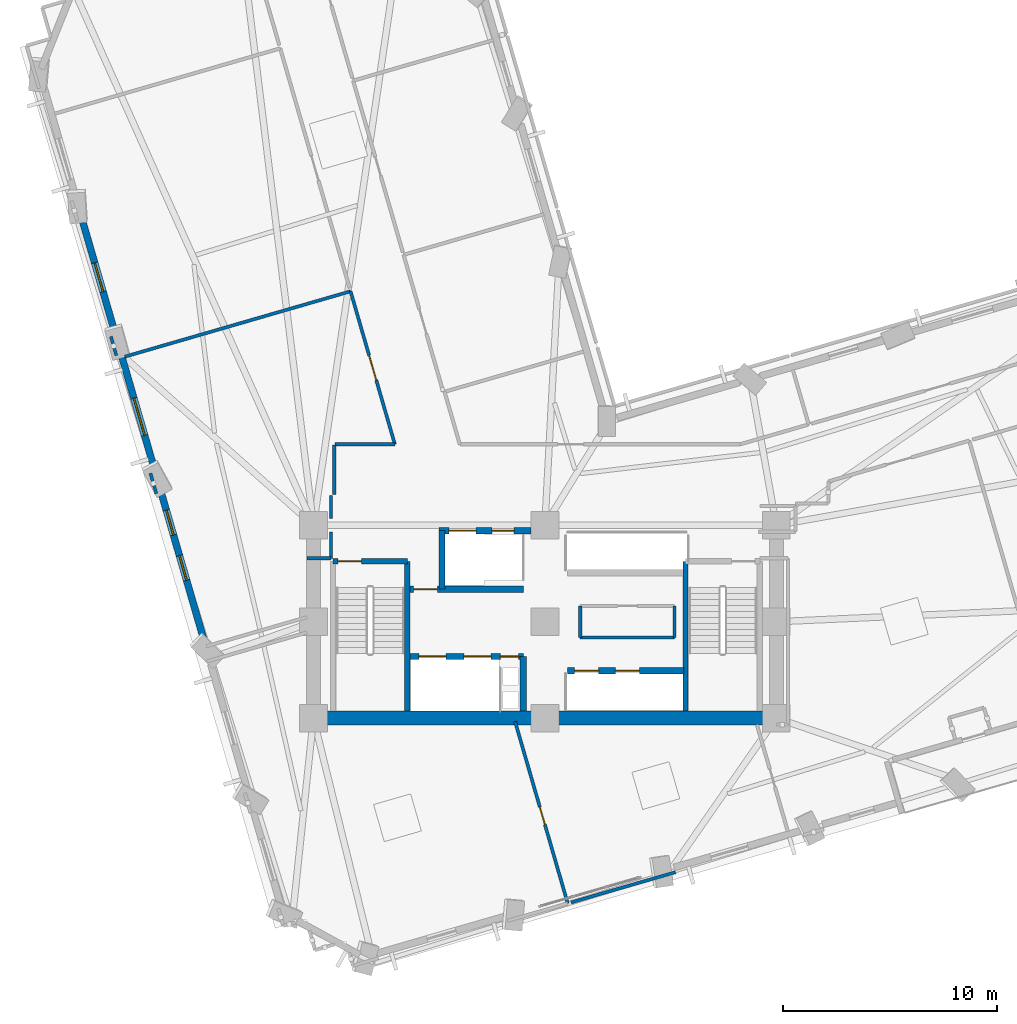
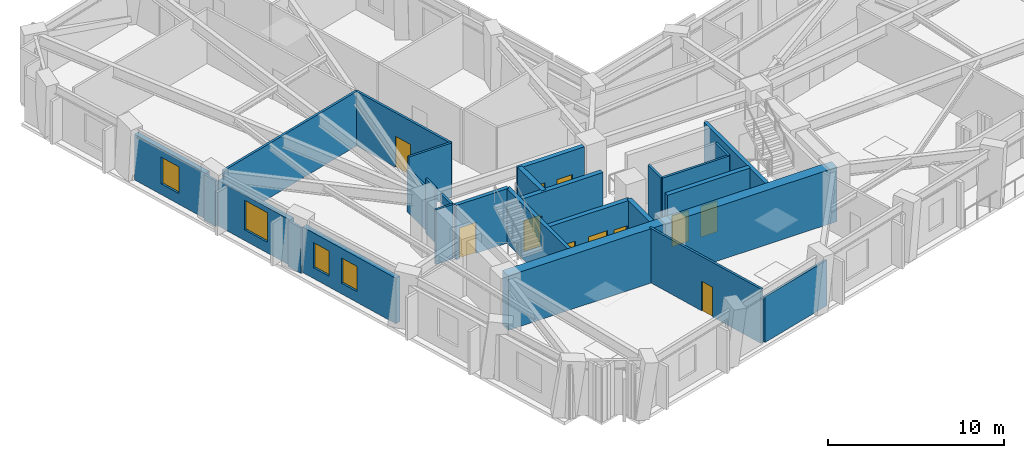
# One storey, part 8 of 15: 28 walls, 11 doors, 4 windows, 15 openings.
"""IFC4 building model written with IfcOpenShell, lengths in metres."""

from ifc_helpers import new_model, si_unit, direction, frame, frame_2d, origin, place, context, subcontext, project, spatial, rectangle, extrude, material, layer, layer_set, type_object, element, fill, save


model = new_model("IFC4")

# Units and contexts
model_context = context("Model", 3, precision=1e-05, world=origin(), true_north=direction((0.0, 1.0)))
body_context = subcontext(model_context, "Body", "Model", "MODEL_VIEW")
ifc_project = project(units=[si_unit("LENGTHUNIT", "METRE"), si_unit("AREAUNIT", "SQUARE_METRE"), si_unit("VOLUMEUNIT", "CUBIC_METRE"), si_unit("PLANEANGLEUNIT", "RADIAN"), si_unit("MASSUNIT", "GRAM", prefix="KILO")], contexts=[model_context])

# Site, building, storey
site_placement = place(None, origin())
site = spatial("IfcSite", under=ifc_project, at=site_placement, CompositionType="ELEMENT")
building_placement = place(site_placement, origin())
building = spatial("IfcBuilding", under=site, at=building_placement, Name="Gaonmaruhae Medical Tower", CompositionType="ELEMENT")
storey_placement = place(building_placement, frame((0.0, 0.0, 92.39990234375)))
storey = spatial("IfcBuildingStorey", under=building, at=storey_placement, Name="L21", CompositionType="ELEMENT", Elevation=92.39990234375)

# Walls
ifc_material_1 = material(Name="Concrete C60/75", Category="concrete")
ifc_layer_1 = layer(ifc_material_1, 0.64990234375)
ifc_layer_set_1 = layer_set([ifc_layer_1], Name="Concrete C60/75")
wall_type_1 = type_object("IfcWallType", Name="CW-650 Zone 2 Core Shear Wall", PredefinedType="SHEAR", material=ifc_layer_set_1)
for number, where, z_axis, x_axis, name in (
    (1, (14.0, 7.800048828125, 0.0), (0.0, 0.0, 1.0), (1.0, 0.0, 0.0), "L21 Core Shear Wall CSW-S1"),
    (2, (24.800048828125, 7.800048828125, 0.0), (0.0, 0.0, 1.0), (1.0, 0.0, 0.0), "L21 Core Shear Wall CSW-S2"),
):
    element("IfcWall", number, at=place(storey_placement, frame(where, z_axis=z_axis, x_axis=x_axis)), inside=storey, type_object=wall_type_1, Name=name, PredefinedType="SHEAR", context=body_context, shape_type="SweptSolid", body=[
        extrude(rectangle(XDim=10.800048828125, YDim=0.64990234375, at=frame_2d((5.39990234375, 0.0))), origin(), (0.0, 0.0, 1.0), 3.780029296875),
    ])

# Wall, opening, window
ifc_material_2 = material(Name="Precast concrete C45/55", Category="concrete")
ifc_layer_2 = layer(ifc_material_2, 0.320068359375)
ifc_layer_set_2 = layer_set([ifc_layer_2], Name="Precast concrete C45/55")
wall_type_2 = type_object("IfcWallType", Name="EW-320 Lower Precast Masonry-Frame Facade Wall", PredefinedType="SOLIDWALL", material=ifc_layer_set_2)
wall_1_placement = place(storey_placement, frame((4.767822265625, 25.677978515625, 0.0), z_axis=(0.0, 0.0, 1.0), x_axis=(-0.278117063401, 0.960547187308, 0.0)))
wall_1 = element("IfcWall", 3, at=wall_1_placement, inside=storey, type_object=wall_type_2, Name="L21 Precast Masonry-Frame Wall W02-W03", PredefinedType="SOLIDWALL", context=body_context, shape_type="SweptSolid", body=[
    extrude(rectangle(XDim=5.627685546875, YDim=0.320068359375, at=frame_2d((2.81396484375, 0.0))), origin(), (0.0, 0.0, 1.0), 3.1650390625),
])
opening_1_placement = place(wall_1_placement, frame((2.111083984375, 0.0, 0.75)))
opening_1 = element("IfcOpeningElement", 4, at=opening_1_placement, cuts=wall_1, Name="Opening WN-03", PredefinedType="OPENING", context=body_context, shape_type="SweptSolid", body=[
    extrude(rectangle(XDim=1.39990234375, YDim=1.85009765625, at=frame_2d((0.699951171875, 0.925048828125))), frame((0.0, 0.169921875, 0.0), z_axis=(0.0, -1.0, 0.0), x_axis=(1.0, 0.0, 0.0)), (0.0, 0.0, 1.0), 0.340087890625),
])
ifc_material_3 = material(Name="Anodised aluminium and Low-E double glazing", Category="aluminium")
window_type_1 = type_object("IfcWindowType", Name="WN-03 Isolation Ward Punched Window 1400x1850", PartitioningType="SINGLE_PANEL", PredefinedType="WINDOW", material=ifc_material_3)
window_1_placement = place(opening_1_placement, origin())
window_1 = element("IfcWindow", 5, at=window_1_placement, inside=storey, type_object=window_type_1, Name="L21 Modular Facade Window W02", OverallHeight=1.85009765625, OverallWidth=1.39990234375, PartitioningType="SINGLE_PANEL", PredefinedType="WINDOW", context=body_context, shape_type="SweptSolid", body=[
    extrude(rectangle(XDim=1.39990234375, YDim=1.85009765625, at=frame_2d((0.699951171875, 0.925048828125))), frame((0.0, 0.030029296875, 0.0), z_axis=(0.0, -1.0, 0.0), x_axis=(1.0, 0.0, 0.0)), (0.0, 0.0, 1.0), 0.06005859375),
])
fill(opening_1, window_1)

wall_2_placement = place(storey_placement, frame((6.6162109375, 19.29541015625, 0.0), z_axis=(0.0, 0.0, 1.0), x_axis=(-0.278153347747, 0.960536680787, 0.0)))
wall_2 = element("IfcWall", 6, at=wall_2_placement, inside=storey, type_object=wall_type_2, Name="L21 Precast Masonry-Frame Wall W03-W04", PredefinedType="SOLIDWALL", context=body_context, shape_type="SweptSolid", body=[
    extrude(rectangle(XDim=5.662109375, YDim=0.320068359375, at=frame_2d((2.8310546875, 0.0))), origin(), (0.0, 0.0, 1.0), 3.1650390625),
])
opening_2_placement = place(wall_2_placement, frame((1.7734375, 0.0, 0.75)))
opening_2 = element("IfcOpeningElement", 7, at=opening_2_placement, cuts=wall_2, Name="Opening WN-04", PredefinedType="OPENING", context=body_context, shape_type="SweptSolid", body=[
    extrude(rectangle(XDim=1.800048828125, YDim=2.050048828125, at=frame_2d((0.89990234375, 1.02490234375))), frame((0.0, 0.169921875, 0.0), z_axis=(0.0, -1.0, 0.0), x_axis=(1.0, 0.0, 0.0)), (0.0, 0.0, 1.0), 0.340087890625),
])
window_type_2 = type_object("IfcWindowType", Name="WN-04 Clinic & Consult Punched Window 1800x2050", PartitioningType="SINGLE_PANEL", PredefinedType="WINDOW", material=ifc_material_3)
window_2_placement = place(opening_2_placement, origin())
window_2 = element("IfcWindow", 8, at=window_2_placement, inside=storey, type_object=window_type_2, Name="L21 Modular Facade Window W03", OverallHeight=2.050048828125, OverallWidth=1.800048828125, PartitioningType="SINGLE_PANEL", PredefinedType="WINDOW", context=body_context, shape_type="SweptSolid", body=[
    extrude(rectangle(XDim=1.800048828125, YDim=2.050048828125, at=frame_2d((0.89990234375, 1.02490234375))), frame((0.0, 0.030029296875, 0.0), z_axis=(0.0, -1.0, 0.0), x_axis=(1.0, 0.0, 0.0)), (0.0, 0.0, 1.0), 0.06005859375),
])
fill(opening_2, window_2)

# Wall, openings, windows
wall_3_placement = place(storey_placement, frame((8.939453125, 11.272705078125, 0.0), z_axis=(0.0, 0.0, 1.0), x_axis=(-0.27816277732, 0.96053395011, 0.0)))
wall_3 = element("IfcWall", 9, at=wall_3_placement, inside=storey, type_object=wall_type_2, Name="L21 Precast Masonry-Frame Wall W04-W05", PredefinedType="SOLIDWALL", context=body_context, shape_type="SweptSolid", body=[
    extrude(rectangle(XDim=7.3603515625, YDim=0.320068359375, at=frame_2d((3.68017578125, 0.0))), origin(), (0.0, 0.0, 1.0), 3.1650390625),
])
opening_3_placement = place(wall_3_placement, frame((3.080810546875, 0.0, 0.75)))
opening_3 = element("IfcOpeningElement", 10, at=opening_3_placement, cuts=wall_3, Name="Opening WN-05", PredefinedType="OPENING", context=body_context, shape_type="SweptSolid", body=[
    extrude(rectangle(XDim=1.199951171875, YDim=1.75, at=frame_2d((0.60009765625, 0.875))), frame((0.0, 0.169921875, 0.0), z_axis=(0.0, -1.0, 0.0), x_axis=(1.0, 0.0, 0.0)), (0.0, 0.0, 1.0), 0.340087890625),
])
opening_4_placement = place(wall_3_placement, frame((5.285400390625, 0.0, 0.75)))
opening_4 = element("IfcOpeningElement", 11, at=opening_4_placement, cuts=wall_3, Name="Opening WN-05", PredefinedType="OPENING", context=body_context, shape_type="SweptSolid", body=[
    extrude(rectangle(XDim=1.199951171875, YDim=1.75, at=frame_2d((0.60009765625, 0.875))), frame((0.0, 0.169921875, 0.0), z_axis=(0.0, -1.0, 0.0), x_axis=(1.0, 0.0, 0.0)), (0.0, 0.0, 1.0), 0.340087890625),
])
window_type_3 = type_object("IfcWindowType", Name="WN-05 Support & Staff Punched Window 1200x1750", PartitioningType="SINGLE_PANEL", PredefinedType="WINDOW", material=ifc_material_3)
window_3_placement = place(opening_3_placement, origin())
window_3 = element("IfcWindow", 12, at=window_3_placement, inside=storey, type_object=window_type_3, Name="L21 Modular Facade Window W04", OverallHeight=1.75, OverallWidth=1.199951171875, PartitioningType="SINGLE_PANEL", PredefinedType="WINDOW", context=body_context, shape_type="SweptSolid", body=[
    extrude(rectangle(XDim=1.199951171875, YDim=1.75, at=frame_2d((0.60009765625, 0.875))), frame((0.0, 0.030029296875, 0.0), z_axis=(0.0, -1.0, 0.0), x_axis=(1.0, 0.0, 0.0)), (0.0, 0.0, 1.0), 0.06005859375),
])
fill(opening_3, window_3)
window_4_placement = place(opening_4_placement, origin())
window_4 = element("IfcWindow", 13, at=window_4_placement, inside=storey, type_object=window_type_3, Name="L21 Modular Facade Window W04B", OverallHeight=1.75, OverallWidth=1.199951171875, PartitioningType="SINGLE_PANEL", PredefinedType="WINDOW", context=body_context, shape_type="SweptSolid", body=[
    extrude(rectangle(XDim=1.199951171875, YDim=1.75, at=frame_2d((0.60009765625, 0.875))), frame((0.0, 0.030029296875, 0.0), z_axis=(0.0, -1.0, 0.0), x_axis=(1.0, 0.0, 0.0)), (0.0, 0.0, 1.0), 0.06005859375),
])
fill(opening_4, window_4)

# Walls
ifc_material_4 = material(Name="Gypsum board partition", Category="gypsum")
ifc_layer_3 = layer(ifc_material_4, 0.14990234375)
ifc_layer_set_3 = layer_set([ifc_layer_3], Name="Gypsum board partition")
wall_type_3 = type_object("IfcWallType", Name="PW-150 Rated Clinical Corridor Partition", PredefinedType="PARTITIONING", material=ifc_layer_set_3)
for number, where, z_axis, x_axis, name in (
    (14, (26.449951171875, 11.56005859375, 0.0), (0.0, 0.0, 1.0), (0.0, 1.0, 0.0), "L21 Interior Partition L21-CS1-1"),
    (15, (30.85009765625, 13.0400390625, 0.0), (0.0, 0.0, 1.0), (0.0, -1.0, 0.0), "L21 Interior Partition L21-CS1-3"),
):
    element("IfcWall", number, at=place(storey_placement, frame(where, z_axis=z_axis, x_axis=x_axis)), inside=storey, type_object=wall_type_3, Name=name, PredefinedType="PARTITIONING", context=body_context, shape_type="SweptSolid", body=[
        extrude(rectangle(XDim=1.47998046875, YDim=0.14990234375, at=frame_2d((0.739990234375, 0.0))), origin(), (0.0, 0.0, 1.0), 3.780029296875),
    ])
wall_4_placement = place(storey_placement, frame((30.85009765625, 11.56005859375, 0.0), z_axis=(0.0, 0.0, 1.0), x_axis=(-1.0, 0.0, 0.0)))
element("IfcWall", 16, at=wall_4_placement, inside=storey, type_object=wall_type_3, Name="L21 Interior Partition L21-CS1-4", PredefinedType="PARTITIONING", context=body_context, shape_type="SweptSolid", body=[
    extrude(rectangle(XDim=4.400146484375, YDim=0.14990234375, at=frame_2d((2.2001953125, 0.0))), origin(), (0.0, 0.0, 1.0), 3.780029296875),
])

# Wall, opening, door
wall_5_placement = place(storey_placement, frame((23.409912109375, 7.64599609375, 0.0), z_axis=(0.0, 0.0, 1.0), x_axis=(0.278025207954, -0.960573778396, 0.0)))
wall_5 = element("IfcWall", 17, at=wall_5_placement, inside=storey, type_object=wall_type_3, Name="L21 Interior Partition L21-SUP01-6", PredefinedType="PARTITIONING", context=body_context, shape_type="SweptSolid", body=[
    extrude(rectangle(XDim=8.83740234375, YDim=0.14990234375, at=frame_2d((4.418701171875, 0.0))), origin(), (0.0, 0.0, 1.0), 3.780029296875),
])
opening_5_placement = place(wall_5_placement, frame((4.14501953125, 0.0, 0.0)))
opening_5 = element("IfcOpeningElement", 18, at=opening_5_placement, cuts=wall_5, Name="Opening AD-01", PredefinedType="OPENING", context=body_context, shape_type="SweptSolid", body=[
    extrude(rectangle(XDim=0.860107421875, YDim=2.06005859375, at=frame_2d((0.43017578125, 1.030029296875))), frame((0.0, 0.0849609375, 0.0), z_axis=(0.0, -1.0, 0.0), x_axis=(1.0, 0.0, 0.0)), (0.0, 0.0, 1.0), 0.169921875),
])
ifc_material_5 = material(Name="Powder-coated steel access door", Category="steel")
door_type_1 = type_object("IfcDoorType", Name="AD-01 Riser & Closet Access Fire Door 860x2060", OperationType="NOTDEFINED", PredefinedType="DOOR", material=ifc_material_5)
door_1_placement = place(opening_5_placement, origin())
door_1 = element("IfcDoor", 19, at=door_1_placement, inside=storey, type_object=door_type_1, Name="L21 Clinical Biomedical Charting Office Sliding Door", OperationType="SLIDING_TO_LEFT", OverallHeight=2.06005859375, OverallWidth=0.860107421875, PredefinedType="DOOR", context=body_context, shape_type="SweptSolid", body=[
    extrude(rectangle(XDim=0.860107421875, YDim=2.06005859375, at=frame_2d((0.43017578125, 1.030029296875))), frame((0.0, 0.02490234375, 0.0), z_axis=(0.0, -1.0, 0.0), x_axis=(1.0, 0.0, 0.0)), (0.0, 0.0, 1.0), 0.050048828125),
])
fill(opening_5, door_1)

# Walls
wall_6_placement = place(storey_placement, frame((30.89599609375, 0.613037109375, 0.0), z_axis=(0.0, 0.0, 1.0), x_axis=(-0.960566969333, -0.278048732109, 0.0)))
element("IfcWall", 20, at=wall_6_placement, inside=storey, type_object=wall_type_3, Name="L21 Interior Partition L21-SUP02-15", PredefinedType="PARTITIONING", context=body_context, shape_type="SweptSolid", body=[
    extrude(rectangle(XDim=5.0751953125, YDim=0.14990234375, at=frame_2d((2.53759765625, 0.0))), origin(), (0.0, 0.0, 1.0), 3.1650390625),
])
wall_7_placement = place(storey_placement, frame((14.969970703125, 20.550048828125, 0.0), z_axis=(0.0, 0.0, 1.0), x_axis=(0.0, -1.0, 0.0)))
element("IfcWall", 21, at=wall_7_placement, inside=storey, type_object=wall_type_3, Name="L21 Interior Partition L21-WOF05-36", PredefinedType="PARTITIONING", context=body_context, shape_type="SweptSolid", body=[
    extrude(rectangle(XDim=2.320068359375, YDim=0.14990234375, at=frame_2d((1.16015625, 0.0))), origin(), (0.0, 0.0, 1.0), 2.965087890625),
])
wall_8_placement = place(storey_placement, frame((14.820068359375, 18.199951171875, 0.0), z_axis=(0.0, 0.0, 1.0), x_axis=(0.0, -1.0, 0.0)))
element("IfcWall", 22, at=wall_8_placement, inside=storey, type_object=wall_type_3, Name="L21 Interior Partition L21-WOF05-37", PredefinedType="PARTITIONING", context=body_context, shape_type="SweptSolid", body=[
    extrude(rectangle(XDim=1.091064453125, YDim=0.14990234375, at=frame_2d((0.54541015625, 0.0))), origin(), (0.0, 0.0, 1.0), 3.780029296875),
])
wall_9_placement = place(storey_placement, frame((14.820068359375, 16.490966796875, 0.0), z_axis=(0.0, 0.0, 1.0), x_axis=(0.0, -1.0, 0.0)))
element("IfcWall", 23, at=wall_9_placement, inside=storey, type_object=wall_type_3, Name="L21 Interior Partition L21-WOF05-38", PredefinedType="PARTITIONING", context=body_context, shape_type="SweptSolid", body=[
    extrude(rectangle(XDim=1.23095703125, YDim=0.14990234375, at=frame_2d((0.615478515625, 0.0))), origin(), (0.0, 0.0, 1.0), 3.780029296875),
])
wall_10_placement = place(storey_placement, frame((14.820068359375, 15.260009765625, 0.0), z_axis=(0.0, 0.0, 1.0), x_axis=(-1.0, 0.0, 0.0)))
element("IfcWall", 24, at=wall_10_placement, inside=storey, type_object=wall_type_3, Name="L21 Interior Partition L21-WOF05-39", PredefinedType="PARTITIONING", context=body_context, shape_type="SweptSolid", body=[
    extrude(rectangle(XDim=1.1201171875, YDim=0.14990234375, at=frame_2d((0.56005859375, 0.0))), origin(), (0.0, 0.0, 1.0), 3.780029296875),
])
wall_11_placement = place(storey_placement, frame((6.6708984375, 18.279052734375, 0.0), z_axis=(0.0, 0.0, 1.0), x_axis=(-0.278099906454, 0.960552154769, 0.0)))
element("IfcWall", 25, at=wall_11_placement, inside=storey, type_object=wall_type_3, Name="L21 Interior Partition L21-WOF05-41", PredefinedType="PARTITIONING", context=body_context, shape_type="SweptSolid", body=[
    extrude(rectangle(XDim=0.991943359375, YDim=0.14990234375, at=frame_2d((0.49609375, 0.0))), origin(), (0.0, 0.0, 1.0), 3.1650390625),
])
wall_12_placement = place(storey_placement, frame((5.199951171875, 24.669921875, 0.0), z_axis=(0.0, 0.0, 1.0), x_axis=(0.960539065788, 0.27814511158, 0.0)))
element("IfcWall", 26, at=wall_12_placement, inside=storey, type_object=wall_type_3, Name="L21 Interior Partition L21-WOF05-42", PredefinedType="PARTITIONING", context=body_context, shape_type="SweptSolid", body=[
    extrude(rectangle(XDim=10.965576171875, YDim=0.14990234375, at=frame_2d((5.48291015625, 0.0))), origin(), (0.0, 0.0, 1.0), 3.780029296875),
])

# Wall, opening, door
wall_13_placement = place(storey_placement, frame((15.73291015625, 27.719970703125, 0.0), z_axis=(0.0, 0.0, 1.0), x_axis=(0.278098749545, -0.960552489717, 0.0)))
wall_13 = element("IfcWall", 27, at=wall_13_placement, inside=storey, type_object=wall_type_3, Name="L21 Interior Partition L21-WOF05-43", PredefinedType="PARTITIONING", context=body_context, shape_type="SweptSolid", body=[
    extrude(rectangle(XDim=7.43310546875, YDim=0.14990234375, at=frame_2d((3.716552734375, 0.0))), origin(), (0.0, 0.0, 1.0), 3.780029296875),
])
opening_6_placement = place(wall_13_placement, frame((3.11669921875, 0.0, 0.0)))
opening_6 = element("IfcOpeningElement", 28, at=opening_6_placement, cuts=wall_13, Name="Opening CD-02", PredefinedType="OPENING", context=body_context, shape_type="SweptSolid", body=[
    extrude(rectangle(XDim=1.199951171875, YDim=2.14990234375, at=frame_2d((0.60009765625, 1.074951171875))), frame((0.0, 0.0849609375, 0.0), z_axis=(0.0, -1.0, 0.0), x_axis=(1.0, 0.0, 0.0)), (0.0, 0.0, 1.0), 0.169921875),
])
ifc_material_6 = material(Name="Antimicrobial laminate timber fire door", Category="wood")
door_type_2 = type_object("IfcDoorType", Name="CD-02 Clinical Treatment & Procedure Door 1200x2150", OperationType="NOTDEFINED", PredefinedType="DOOR", material=ifc_material_6)
door_2_placement = place(opening_6_placement, origin())
door_2 = element("IfcDoor", 29, at=door_2_placement, inside=storey, type_object=door_type_2, Name="L21 Ward Physician Reporting Office Door", OperationType="SINGLE_SWING_LEFT", OverallHeight=2.14990234375, OverallWidth=1.199951171875, PredefinedType="DOOR", context=body_context, shape_type="SweptSolid", body=[
    extrude(rectangle(XDim=1.199951171875, YDim=2.14990234375, at=frame_2d((0.60009765625, 1.074951171875))), frame((0.0, 0.02490234375, 0.0), z_axis=(0.0, -1.0, 0.0), x_axis=(1.0, 0.0, 0.0)), (0.0, 0.0, 1.0), 0.050048828125),
])
fill(opening_6, door_2)

# Walls
wall_14_placement = place(storey_placement, frame((17.800048828125, 20.580078125, 0.0), z_axis=(0.0, 0.0, 1.0), x_axis=(-1.0, 0.0, 0.0)))
element("IfcWall", 30, at=wall_14_placement, inside=storey, type_object=wall_type_3, Name="L21 Interior Partition L21-WOF05-44", PredefinedType="PARTITIONING", context=body_context, shape_type="SweptSolid", body=[
    extrude(rectangle(XDim=2.802978515625, YDim=0.14990234375, at=frame_2d((1.4013671875, 0.0))), origin(), (0.0, 0.0, 1.0), 3.780029296875),
])
wall_15_placement = place(storey_placement, frame((4.804931640625, 24.722900390625, 0.0), z_axis=(0.0, 0.0, 1.0), x_axis=(-0.277917486975, 0.960604950244, 0.0)))
element("IfcWall", 31, at=wall_15_placement, inside=storey, type_object=wall_type_3, Name="L21 Interior Partition L21-WOF06-47", PredefinedType="PARTITIONING", context=body_context, shape_type="SweptSolid", body=[
    extrude(rectangle(XDim=0.927734375, YDim=0.14990234375, at=frame_2d((0.4638671875, 0.0))), origin(), (0.0, 0.0, 1.0), 3.1650390625),
])

# Wall, opening, door
ifc_material_7 = material(Name="Concrete C50/60", Category="concrete")
ifc_layer_4 = layer(ifc_material_7, 0.239990234375)
ifc_layer_set_4 = layer_set([ifc_layer_4], Name="Concrete C50/60")
wall_type_4 = type_object("IfcWallType", Name="SW-240 Dogleg Stair Tight Shaft Wall", PredefinedType="SOLIDWALL", material=ifc_layer_set_4)
wall_16_placement = place(storey_placement, frame((14.919921875, 15.1201171875, 0.0), z_axis=(0.0, 0.0, 1.0), x_axis=(1.0, 0.0, 0.0)))
wall_16 = element("IfcWall", 32, at=wall_16_placement, inside=storey, type_object=wall_type_4, Name="L21 ST-01 Stair Shaft Wall SHW-ST-01-N", PredefinedType="SOLIDWALL", context=body_context, shape_type="SweptSolid", body=[
    extrude(rectangle(XDim=3.4599609375, YDim=0.239990234375, at=frame_2d((1.72998046875, 0.0))), origin(), (0.0, 0.0, 1.0), 3.780029296875),
])
opening_7_placement = place(wall_16_placement, frame((0.219970703125, 0.0, 0.0)))
opening_7 = element("IfcOpeningElement", 33, at=opening_7_placement, cuts=wall_16, Name="Opening FD-01", PredefinedType="OPENING", context=body_context, shape_type="SweptSolid", body=[
    extrude(rectangle(XDim=1.10009765625, YDim=2.14990234375, at=frame_2d((0.550048828125, 1.074951171875))), frame((0.0, 0.1298828125, 0.0), z_axis=(0.0, -1.0, 0.0), x_axis=(1.0, 0.0, 0.0)), (0.0, 0.0, 1.0), 0.260009765625),
])
ifc_material_8 = material(Name="Powder-coated steel fire door", Category="steel")
door_type_3 = type_object("IfcDoorType", Name="FD-01 Escape Stair Protected Fire Door 1100x2150", OperationType="NOTDEFINED", PredefinedType="DOOR", material=ifc_material_8)
door_3_placement = place(opening_7_placement, origin())
door_3 = element("IfcDoor", 34, at=door_3_placement, inside=storey, type_object=door_type_3, Name="L21 ST-01 Protected Escape Stair Door", OperationType="SINGLE_SWING_RIGHT", OverallHeight=2.14990234375, OverallWidth=1.10009765625, PredefinedType="DOOR", context=body_context, shape_type="SweptSolid", body=[
    extrude(rectangle(XDim=1.10009765625, YDim=2.14990234375, at=frame_2d((0.550048828125, 1.074951171875))), frame((0.0, 0.02490234375, 0.0), z_axis=(0.0, -1.0, 0.0), x_axis=(1.0, 0.0, 0.0)), (0.0, 0.0, 1.0), 0.050048828125),
])
fill(opening_7, door_3)

# Walls
for number, where, z_axis, x_axis, name in (
    (35, (18.3798828125, 15.1201171875, 0.0), (0.0, 0.0, 1.0), (0.0, -1.0, 0.0), "L21 ST-01 Stair Shaft Wall SHW-ST-01-E"),
    (36, (31.3701171875, 8.125, 0.0), (0.0, 0.0, 1.0), (0.0, 1.0, 0.0), "L21 ST-02 Stair Shaft Wall SHW-ST-02-W"),
):
    element("IfcWall", number, at=place(storey_placement, frame(where, z_axis=z_axis, x_axis=x_axis)), inside=storey, type_object=wall_type_4, Name=name, PredefinedType="SOLIDWALL", context=body_context, shape_type="SweptSolid", body=[
        extrude(rectangle(XDim=6.9951171875, YDim=0.239990234375, at=frame_2d((3.49755859375, 0.0))), origin(), (0.0, 0.0, 1.0), 3.780029296875),
    ])

# Wall, openings, doors
ifc_layer_5 = layer(ifc_material_7, 0.300048828125)
ifc_layer_set_5 = layer_set([ifc_layer_5], Name="Concrete C50/60")
wall_type_5 = type_object("IfcWallType", Name="SW-300 Stair & Lift Hoistway Shaft Wall", PredefinedType="SOLIDWALL", material=ifc_layer_set_5)
wall_17_placement = place(storey_placement, frame((19.85009765625, 16.550048828125, 0.0), z_axis=(0.0, 0.0, 1.0), x_axis=(1.0, 0.0, 0.0)))
wall_17 = element("IfcWall", 37, at=wall_17_placement, inside=storey, type_object=wall_type_5, Name="L21 Core Shear Wall CSW-NB", PredefinedType="SOLIDWALL", context=body_context, shape_type="SweptSolid", body=[
    extrude(rectangle(XDim=4.2998046875, YDim=0.300048828125, at=frame_2d((2.14990234375, 0.0))), origin(), (0.0, 0.0, 1.0), 3.780029296875),
])
opening_8_placement = place(wall_17_placement, frame((0.47509765625, 0.0, 0.0)))
opening_8 = element("IfcOpeningElement", 38, at=opening_8_placement, cuts=wall_17, Name="Opening LD-F1", PredefinedType="OPENING", context=body_context, shape_type="SweptSolid", body=[
    extrude(rectangle(XDim=1.25, YDim=2.179931640625, at=frame_2d((0.625, 1.08984375))), frame((0.0, 0.16015625, 0.0), z_axis=(0.0, -1.0, 0.0), x_axis=(1.0, 0.0, 0.0)), (0.0, 0.0, 1.0), 0.320068359375),
])
opening_9_placement = place(wall_17_placement, frame((2.489990234375, 0.0, 0.0)))
opening_9 = element("IfcOpeningElement", 39, at=opening_9_placement, cuts=wall_17, Name="Opening LD-S1", PredefinedType="OPENING", context=body_context, shape_type="SweptSolid", body=[
    extrude(rectangle(XDim=1.02001953125, YDim=2.1201171875, at=frame_2d((0.510009765625, 1.06005859375))), frame((0.0, 0.16015625, 0.0), z_axis=(0.0, -1.0, 0.0), x_axis=(1.0, 0.0, 0.0)), (0.0, 0.0, 1.0), 0.320068359375),
])
ifc_material_9 = material(Name="Brushed stainless steel 316L landing door", Category="steel")
door_type_4 = type_object("IfcDoorType", Name="LD-F1 Firefighting & Bed Lift Sliding Landing Door 1250x2180", OperationType="NOTDEFINED", PredefinedType="DOOR", material=ifc_material_9)
door_4_placement = place(opening_8_placement, origin())
door_4 = element("IfcDoor", 40, at=door_4_placement, inside=storey, type_object=door_type_4, Name="L21 Service/Bed Lift Landing Door BDL-01", OperationType="DOUBLE_DOOR_SLIDING", OverallHeight=2.179931640625, OverallWidth=1.25, PredefinedType="DOOR", context=body_context, shape_type="SweptSolid", body=[
    extrude(rectangle(XDim=1.25, YDim=2.179931640625, at=frame_2d((0.625, 1.08984375))), frame((0.0, 0.02490234375, 0.0), z_axis=(0.0, -1.0, 0.0), x_axis=(1.0, 0.0, 0.0)), (0.0, 0.0, 1.0), 0.050048828125),
])
fill(opening_8, door_4)
ifc_material_10 = material(Name="Brushed stainless steel 304 landing door", Category="steel")
door_type_5 = type_object("IfcDoorType", Name="LD-S1 Service Lift Sliding Landing Door 1020x2120", OperationType="NOTDEFINED", PredefinedType="DOOR", material=ifc_material_10)
door_5_placement = place(opening_9_placement, origin())
door_5 = element("IfcDoor", 41, at=door_5_placement, inside=storey, type_object=door_type_5, Name="L21 Service/Bed Lift Landing Door SVL-01", OperationType="SLIDING_TO_LEFT", OverallHeight=2.1201171875, OverallWidth=1.02001953125, PredefinedType="DOOR", context=body_context, shape_type="SweptSolid", body=[
    extrude(rectangle(XDim=1.02001953125, YDim=2.1201171875, at=frame_2d((0.510009765625, 1.06005859375))), frame((0.0, 0.02490234375, 0.0), z_axis=(0.0, -1.0, 0.0), x_axis=(1.0, 0.0, 0.0)), (0.0, 0.0, 1.0), 0.050048828125),
])
fill(opening_9, door_5)

wall_18_placement = place(storey_placement, frame((18.5, 10.679931640625, 0.0), z_axis=(0.0, 0.0, 1.0), x_axis=(1.0, 0.0, 0.0)))
wall_18 = element("IfcWall", 42, at=wall_18_placement, inside=storey, type_object=wall_type_5, Name="L21 Shaft Enclosure Wall SHW-FFN", PredefinedType="SOLIDWALL", context=body_context, shape_type="SweptSolid", body=[
    extrude(rectangle(XDim=5.300048828125, YDim=0.300048828125, at=frame_2d((2.64990234375, 0.0))), origin(), (0.0, 0.0, 1.0), 3.780029296875),
])
opening_10_placement = place(wall_18_placement, frame((4.219970703125, 0.0, 0.0)))
opening_10 = element("IfcOpeningElement", 43, at=opening_10_placement, cuts=wall_18, Name="Opening AD-01", PredefinedType="OPENING", context=body_context, shape_type="SweptSolid", body=[
    extrude(rectangle(XDim=0.860107421875, YDim=2.06005859375, at=frame_2d((0.43017578125, 1.030029296875))), frame((0.0, 0.16015625, 0.0), z_axis=(0.0, -1.0, 0.0), x_axis=(1.0, 0.0, 0.0)), (0.0, 0.0, 1.0), 0.320068359375),
])
opening_11_placement = place(wall_18_placement, frame((0.425048828125, 0.0, 0.0)))
opening_11 = element("IfcOpeningElement", 44, at=opening_11_placement, cuts=wall_18, Name="Opening LD-F1", PredefinedType="OPENING", context=body_context, shape_type="SweptSolid", body=[
    extrude(rectangle(XDim=1.25, YDim=2.179931640625, at=frame_2d((0.625, 1.08984375))), frame((0.0, 0.16015625, 0.0), z_axis=(0.0, -1.0, 0.0), x_axis=(1.0, 0.0, 0.0)), (0.0, 0.0, 1.0), 0.320068359375),
])
opening_12_placement = place(wall_18_placement, frame((2.52490234375, 0.0, 0.0)))
opening_12 = element("IfcOpeningElement", 45, at=opening_12_placement, cuts=wall_18, Name="Opening LD-F1", PredefinedType="OPENING", context=body_context, shape_type="SweptSolid", body=[
    extrude(rectangle(XDim=1.25, YDim=2.179931640625, at=frame_2d((0.625, 1.08984375))), frame((0.0, 0.16015625, 0.0), z_axis=(0.0, -1.0, 0.0), x_axis=(1.0, 0.0, 0.0)), (0.0, 0.0, 1.0), 0.320068359375),
])
door_6_placement = place(opening_10_placement, origin())
door_6 = element("IfcDoor", 46, at=door_6_placement, inside=storey, type_object=door_type_1, Name="L21 Medical Gas and MEP Riser Access Door", OperationType="SINGLE_SWING_RIGHT", OverallHeight=2.06005859375, OverallWidth=0.860107421875, PredefinedType="DOOR", context=body_context, shape_type="SweptSolid", body=[
    extrude(rectangle(XDim=0.860107421875, YDim=2.06005859375, at=frame_2d((0.43017578125, 1.030029296875))), frame((0.0, 0.02490234375, 0.0), z_axis=(0.0, -1.0, 0.0), x_axis=(1.0, 0.0, 0.0)), (0.0, 0.0, 1.0), 0.050048828125),
])
fill(opening_10, door_6)
door_7_placement = place(opening_11_placement, origin())
door_7 = element("IfcDoor", 47, at=door_7_placement, inside=storey, type_object=door_type_4, Name="L21 Firefighting Lift Landing Door FFL-01", OperationType="DOUBLE_DOOR_SLIDING", OverallHeight=2.179931640625, OverallWidth=1.25, PredefinedType="DOOR", context=body_context, shape_type="SweptSolid", body=[
    extrude(rectangle(XDim=1.25, YDim=2.179931640625, at=frame_2d((0.625, 1.08984375))), frame((0.0, 0.02490234375, 0.0), z_axis=(0.0, -1.0, 0.0), x_axis=(1.0, 0.0, 0.0)), (0.0, 0.0, 1.0), 0.050048828125),
])
fill(opening_11, door_7)
door_8_placement = place(opening_12_placement, origin())
door_8 = element("IfcDoor", 48, at=door_8_placement, inside=storey, type_object=door_type_4, Name="L21 Firefighting Lift Landing Door FFL-02", OperationType="DOUBLE_DOOR_SLIDING", OverallHeight=2.179931640625, OverallWidth=1.25, PredefinedType="DOOR", context=body_context, shape_type="SweptSolid", body=[
    extrude(rectangle(XDim=1.25, YDim=2.179931640625, at=frame_2d((0.625, 1.08984375))), frame((0.0, 0.02490234375, 0.0), z_axis=(0.0, -1.0, 0.0), x_axis=(1.0, 0.0, 0.0)), (0.0, 0.0, 1.0), 0.050048828125),
])
fill(opening_12, door_8)

# Wall, opening, door
wall_19_placement = place(storey_placement, frame((18.5, 13.820068359375, 0.0), z_axis=(0.0, 0.0, 1.0), x_axis=(1.0, 0.0, 0.0)))
wall_19 = element("IfcWall", 49, at=wall_19_placement, inside=storey, type_object=wall_type_5, Name="L21 Shaft Enclosure Wall SHW-FFL", PredefinedType="SOLIDWALL", context=body_context, shape_type="SweptSolid", body=[
    extrude(rectangle(XDim=5.300048828125, YDim=0.300048828125, at=frame_2d((2.64990234375, 0.0))), origin(), (0.0, 0.0, 1.0), 3.780029296875),
])
opening_13_placement = place(wall_19_placement, frame((0.179931640625, 0.0, 0.0)))
opening_13 = element("IfcOpeningElement", 50, at=opening_13_placement, cuts=wall_19, Name="Opening FD-01", PredefinedType="OPENING", context=body_context, shape_type="SweptSolid", body=[
    extrude(rectangle(XDim=1.10009765625, YDim=2.14990234375, at=frame_2d((0.550048828125, 1.074951171875))), frame((0.0, 0.16015625, 0.0), z_axis=(0.0, -1.0, 0.0), x_axis=(1.0, 0.0, 0.0)), (0.0, 0.0, 1.0), 0.320068359375),
])
door_9_placement = place(opening_13_placement, origin())
door_9 = element("IfcDoor", 51, at=door_9_placement, inside=storey, type_object=door_type_3, Name="L21 Firefighting Lobby Smoke Door", OperationType="SINGLE_SWING_LEFT", OverallHeight=2.14990234375, OverallWidth=1.10009765625, PredefinedType="DOOR", context=body_context, shape_type="SweptSolid", body=[
    extrude(rectangle(XDim=1.10009765625, YDim=2.14990234375, at=frame_2d((0.550048828125, 1.074951171875))), frame((0.0, 0.02490234375, 0.0), z_axis=(0.0, -1.0, 0.0), x_axis=(1.0, 0.0, 0.0)), (0.0, 0.0, 1.0), 0.050048828125),
])
fill(opening_13, door_9)

# Walls
wall_20_placement = place(storey_placement, frame((23.800048828125, 8.125, 0.0), z_axis=(0.0, 0.0, 1.0), x_axis=(0.0, 1.0, 0.0)))
element("IfcWall", 52, at=wall_20_placement, inside=storey, type_object=wall_type_5, Name="L21 Shaft Enclosure Wall SHW-FFE", PredefinedType="SOLIDWALL", context=body_context, shape_type="SweptSolid", body=[
    extrude(rectangle(XDim=2.554931640625, YDim=0.300048828125, at=frame_2d((1.27734375, 0.0))), origin(), (0.0, 0.0, 1.0), 3.780029296875),
])
wall_21_placement = place(storey_placement, frame((20.0, 13.820068359375, 0.0), z_axis=(0.0, 0.0, 1.0), x_axis=(0.0, 1.0, 0.0)))
element("IfcWall", 53, at=wall_21_placement, inside=storey, type_object=wall_type_5, Name="L21 Shaft Enclosure Wall SHW-BDW", PredefinedType="SOLIDWALL", context=body_context, shape_type="SweptSolid", body=[
    extrude(rectangle(XDim=2.72998046875, YDim=0.300048828125, at=frame_2d((1.364990234375, 0.0))), origin(), (0.0, 0.0, 1.0), 3.780029296875),
])

# Wall, openings, doors
wall_22_placement = place(storey_placement, frame((25.85009765625, 10.02001953125, 0.0), z_axis=(0.0, 0.0, 1.0), x_axis=(1.0, 0.0, 0.0)))
wall_22 = element("IfcWall", 54, at=wall_22_placement, inside=storey, type_object=wall_type_5, Name="L21 Shaft Enclosure Wall SHW-PLS", PredefinedType="SOLIDWALL", context=body_context, shape_type="SweptSolid", body=[
    extrude(rectangle(XDim=5.449951171875, YDim=0.300048828125, at=frame_2d((2.72509765625, 0.0))), origin(), (0.0, 0.0, 1.0), 3.780029296875),
])
opening_14_placement = place(wall_22_placement, frame((0.340087890625, 0.0, 0.0)))
opening_14 = element("IfcOpeningElement", 55, at=opening_14_placement, cuts=wall_22, Name="Opening LD-P1", PredefinedType="OPENING", context=body_context, shape_type="SweptSolid", body=[
    extrude(rectangle(XDim=1.1201171875, YDim=2.14990234375, at=frame_2d((0.56005859375, 1.074951171875))), frame((0.0, 0.16015625, 0.0), z_axis=(0.0, -1.0, 0.0), x_axis=(1.0, 0.0, 0.0)), (0.0, 0.0, 1.0), 0.320068359375),
])
opening_15_placement = place(wall_22_placement, frame((2.239990234375, 0.0, 0.0)))
opening_15 = element("IfcOpeningElement", 56, at=opening_15_placement, cuts=wall_22, Name="Opening LD-P1", PredefinedType="OPENING", context=body_context, shape_type="SweptSolid", body=[
    extrude(rectangle(XDim=1.1201171875, YDim=2.14990234375, at=frame_2d((0.56005859375, 1.074951171875))), frame((0.0, 0.16015625, 0.0), z_axis=(0.0, -1.0, 0.0), x_axis=(1.0, 0.0, 0.0)), (0.0, 0.0, 1.0), 0.320068359375),
])
door_type_6 = type_object("IfcDoorType", Name="LD-P1 Passenger Lift Sliding Landing Door 1120x2150", OperationType="NOTDEFINED", PredefinedType="DOOR", material=ifc_material_10)
door_10_placement = place(opening_14_placement, origin())
door_10 = element("IfcDoor", 57, at=door_10_placement, inside=storey, type_object=door_type_6, Name="L21 Passenger Lift Landing Door PL-L1", OperationType="DOUBLE_DOOR_SLIDING", OverallHeight=2.14990234375, OverallWidth=1.1201171875, PredefinedType="DOOR", context=body_context, shape_type="SweptSolid", body=[
    extrude(rectangle(XDim=1.1201171875, YDim=2.14990234375, at=frame_2d((0.56005859375, 1.074951171875))), frame((0.0, 0.02490234375, 0.0), z_axis=(0.0, -1.0, 0.0), x_axis=(1.0, 0.0, 0.0)), (0.0, 0.0, 1.0), 0.050048828125),
])
fill(opening_14, door_10)
door_11_placement = place(opening_15_placement, origin())
door_11 = element("IfcDoor", 58, at=door_11_placement, inside=storey, type_object=door_type_6, Name="L21 Passenger Lift Landing Door PL-L2", OperationType="DOUBLE_DOOR_SLIDING", OverallHeight=2.14990234375, OverallWidth=1.1201171875, PredefinedType="DOOR", context=body_context, shape_type="SweptSolid", body=[
    extrude(rectangle(XDim=1.1201171875, YDim=2.14990234375, at=frame_2d((0.56005859375, 1.074951171875))), frame((0.0, 0.02490234375, 0.0), z_axis=(0.0, -1.0, 0.0), x_axis=(1.0, 0.0, 0.0)), (0.0, 0.0, 1.0), 0.050048828125),
])
fill(opening_15, door_11)

save(model, "model.ifc")
